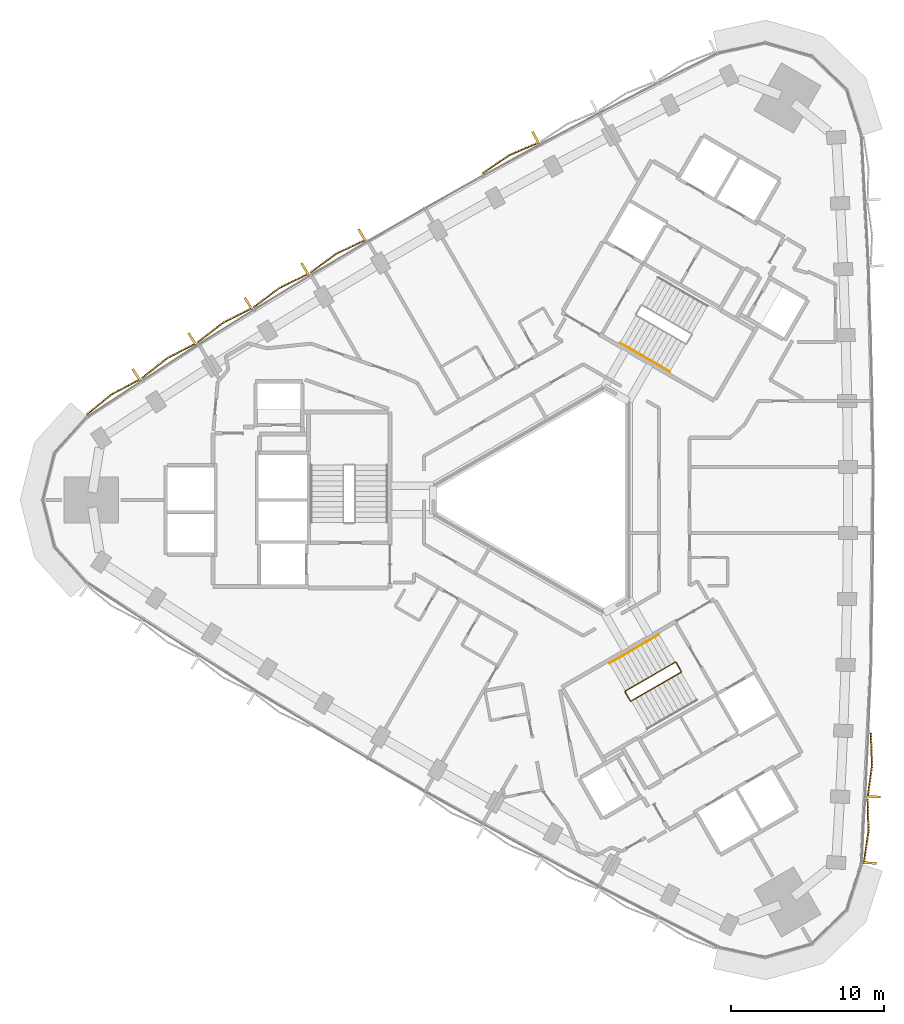
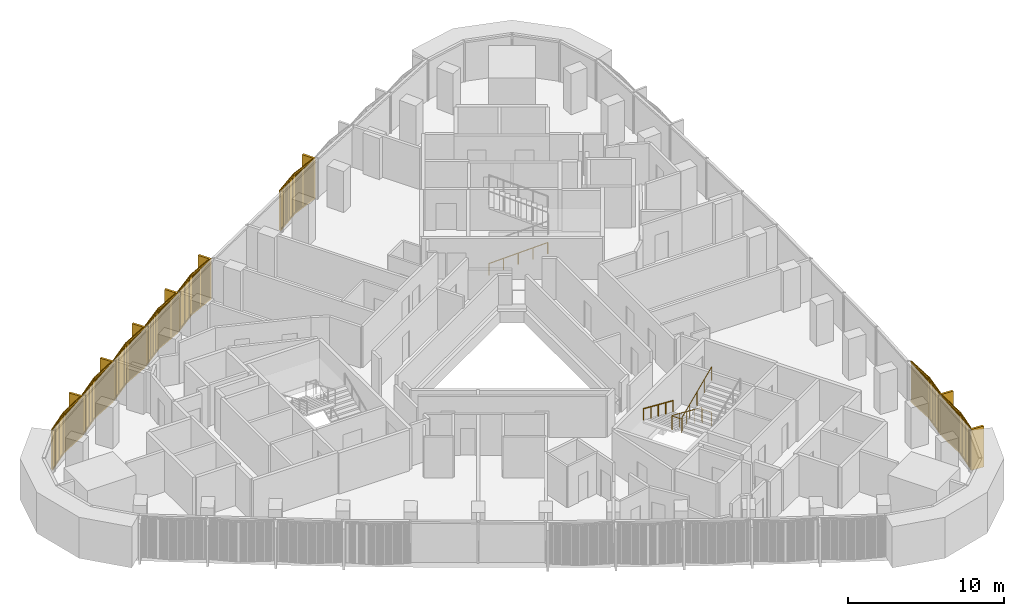
# One storey, part 14 of 15: 8 coverings, 3 railings.
"""IFC4 building model written with IfcOpenShell, lengths in metres."""

from ifc_helpers import new_model, si_unit, direction, frame, frame_2d, origin, origin_2d, place, context, subcontext, project, spatial, rectangle, circle, extrude, source, transform, mapped, material, type_object, element, save


model = new_model("IFC4")

# Units and contexts
model_context = context("Model", 3, precision=1e-05, world=origin(), true_north=direction((0.0, 1.0)))
body_context = subcontext(model_context, "Body", "Model", "MODEL_VIEW")
ifc_project = project(units=[si_unit("LENGTHUNIT", "METRE"), si_unit("AREAUNIT", "SQUARE_METRE"), si_unit("VOLUMEUNIT", "CUBIC_METRE"), si_unit("PLANEANGLEUNIT", "RADIAN"), si_unit("MASSUNIT", "GRAM", prefix="KILO")], contexts=[model_context])

# Site, building, storey
site_placement = place(None, origin())
site = spatial("IfcSite", under=ifc_project, at=site_placement, CompositionType="ELEMENT")
building_placement = place(site_placement, origin())
building = spatial("IfcBuilding", under=site, at=building_placement, Name="Tamra Quay Hotel Tower", CompositionType="ELEMENT")
storey_placement = place(building_placement, frame((0.0, 0.0, 136.0)))
storey = spatial("IfcBuildingStorey", under=building, at=storey_placement, Name="L33", CompositionType="ELEMENT", Elevation=136.0)

# Railings
ifc_material_1 = material(Name="Stair guard 1100")
railing_type_1 = type_object("IfcRailingType", Name="Stair guard 1100", PredefinedType="GUARDRAIL", material=ifc_material_1)
railing_1_placement = place(storey_placement, frame((8.245849609375, -11.221923828125, 0.0)))
element("IfcRailing", 1, at=railing_1_placement, inside=storey, type_object=railing_type_1, Name="GR", PredefinedType="GUARDRAIL", context=body_context, shape_type="SweptSolid", body=[
    extrude(circle(Radius=0.02392578125, at=origin_2d()), frame((0.0, 0.0, 1.076171875), z_axis=(-0.500043078269, 0.866000531106, 0.0), x_axis=(-0.866000531106, -0.500043078269, 0.0)), (0.0, 0.0, 1.0), 0.6591796875),
    extrude(circle(Radius=0.02392578125, at=origin_2d()), frame((-0.32958984375, 0.57080078125, 1.076171875), z_axis=(-0.41238007866, 0.110458949641, 0.904290601062), x_axis=(-0.258736085224, -0.965948051503, 0.0)), (0.0, 0.0, 1.0), 0.165771484375),
    extrude(circle(Radius=0.02392578125, at=origin_2d()), frame((-0.39794921875, 0.589111328125, 1.22607421875), z_axis=(-0.793081581205, -0.457901355053, 0.401681409319), x_axis=(0.500012686397, -0.866018079166, 0.0)), (0.0, 0.0, 1.0), 4.108154296875),
    extrude(circle(Radius=0.02392578125, at=origin_2d()), frame((-3.656005859375, -1.2919921875, 2.8759765625), z_axis=(-0.256368644879, -0.966579080015, 0.0), x_axis=(0.966579080015, -0.256368644879, 0.0)), (0.0, 0.0, 1.0), 0.070556640625),
    extrude(circle(Radius=0.02392578125, at=origin_2d()), frame((-3.674072265625, -1.360107421875, 2.8759765625), z_axis=(0.499765215335, -0.866160914346, 0.0), x_axis=(0.866160914346, 0.499765215335, 0.0)), (0.0, 0.0, 1.0), 0.658935546875),
    extrude(circle(Radius=0.02392578125, at=origin_2d()), frame((-3.3447265625, -1.930908203125, 2.8759765625), z_axis=(0.41238007866, -0.110458949641, 0.904290601062), x_axis=(0.258736085224, 0.965948051503, 0.0)), (0.0, 0.0, 1.0), 0.165771484375),
    extrude(circle(Radius=0.02392578125, at=origin_2d()), frame((-3.2763671875, -1.94921875, 3.02587890625), z_axis=(0.793081581205, 0.457901355053, 0.401681409319), x_axis=(-0.500012686397, 0.866018079166, 0.0)), (0.0, 0.0, 1.0), 4.108154296875),
    extrude(circle(Radius=0.02099609375, at=origin_2d()), origin(), (0.0, 0.0, 1.0), 1.052001953125),
    extrude(circle(Radius=0.02099609375, at=origin_2d()), frame((-0.32958984375, 0.57080078125, 0.0)), (0.0, 0.0, 1.0), 1.052001953125),
    extrude(circle(Radius=0.02099609375, at=origin_2d()), frame((-0.39794921875, 0.589111328125, 0.14990234375)), (0.0, 0.0, 1.0), 1.052001953125),
    extrude(circle(Radius=0.02099609375, at=origin_2d()), frame((-1.21240234375, 0.118896484375, 0.5625)), (0.0, 0.0, 1.0), 1.052001953125),
    extrude(circle(Radius=0.02099609375, at=origin_2d()), frame((-2.02685546875, -0.3515625, 0.97509765625)), (0.0, 0.0, 1.0), 1.052001953125),
    extrude(circle(Radius=0.02099609375, at=origin_2d()), frame((-2.841552734375, -0.82177734375, 1.387451171875)), (0.0, 0.0, 1.0), 1.052001953125),
    extrude(circle(Radius=0.02099609375, at=origin_2d()), frame((-3.656005859375, -1.2919921875, 1.800048828125)), (0.0, 0.0, 1.0), 1.052001953125),
    extrude(circle(Radius=0.02099609375, at=origin_2d()), frame((-3.674072265625, -1.360107421875, 1.800048828125)), (0.0, 0.0, 1.0), 1.052001953125),
    extrude(circle(Radius=0.02099609375, at=origin_2d()), frame((-3.3447265625, -1.930908203125, 1.800048828125)), (0.0, 0.0, 1.0), 1.052001953125),
    extrude(circle(Radius=0.02099609375, at=origin_2d()), frame((-3.2763671875, -1.94921875, 1.949951171875)), (0.0, 0.0, 1.0), 1.052001953125),
    extrude(circle(Radius=0.02099609375, at=origin_2d()), frame((-2.4619140625, -1.47900390625, 2.362548828125)), (0.0, 0.0, 1.0), 1.052001953125),
    extrude(circle(Radius=0.02099609375, at=origin_2d()), frame((-1.6474609375, -1.0087890625, 2.77490234375)), (0.0, 0.0, 1.0), 1.052001953125),
    extrude(circle(Radius=0.02099609375, at=origin_2d()), frame((-0.832763671875, -0.538330078125, 3.1875)), (0.0, 0.0, 1.0), 1.052001953125),
    extrude(circle(Radius=0.02099609375, at=origin_2d()), frame((-0.018310546875, -0.068115234375, 3.60009765625)), (0.0, 0.0, 1.0), 1.052001953125),
])
ifc_material_2 = material(Name="Stair handrail 900")
railing_type_2 = type_object("IfcRailingType", Name="Stair handrail 900", PredefinedType="HANDRAIL", material=ifc_material_2)
railing_2_placement = place(storey_placement, frame((4.234375, 10.294189453125, 0.14990234375)))
element("IfcRailing", 2, at=railing_2_placement, inside=storey, type_object=railing_type_2, Name="HR", PredefinedType="HANDRAIL", context=body_context, shape_type="SweptSolid", body=[
    extrude(circle(Radius=0.02392578125, at=origin_2d()), frame((0.0, 0.0, 0.8759765625), z_axis=(0.793103162556, -0.457854384738, 0.401692339881), x_axis=(0.499964013922, 0.86604617936, 0.0)), (0.0, 0.0, 1.0), 4.10791015625),
    extrude(circle(Radius=0.02099609375, at=origin_2d()), origin(), (0.0, 0.0, 1.0), 0.851806640625),
    extrude(circle(Radius=0.02099609375, at=origin_2d()), frame((0.814453125, -0.47021484375, 0.41259765625)), (0.0, 0.0, 1.0), 0.851806640625),
    extrude(circle(Radius=0.02099609375, at=origin_2d()), frame((1.62890625, -0.9404296875, 0.8251953125)), (0.0, 0.0, 1.0), 0.851806640625),
    extrude(circle(Radius=0.02099609375, at=origin_2d()), frame((2.443603515625, -1.41064453125, 1.237548828125)), (0.0, 0.0, 1.0), 0.851806640625),
    extrude(circle(Radius=0.02099609375, at=origin_2d()), frame((3.258056640625, -1.880859375, 1.650146484375)), (0.0, 0.0, 1.0), 0.851806640625),
])
railing_3_placement = place(storey_placement, frame((6.7978515625, -8.814208984375, 0.14990234375)))
element("IfcRailing", 3, at=railing_3_placement, inside=storey, type_object=railing_type_2, Name="HR", PredefinedType="HANDRAIL", context=body_context, shape_type="SweptSolid", body=[
    extrude(circle(Radius=0.02392578125, at=origin_2d()), frame((0.0, 0.0, 0.8759765625), z_axis=(-0.793081112945, -0.457875966286, 0.40171127416), x_axis=(0.499992114976, -0.866029956157, 0.0)), (0.0, 0.0, 1.0), 4.10791015625),
    extrude(circle(Radius=0.02099609375, at=origin_2d()), origin(), (0.0, 0.0, 1.0), 0.851806640625),
    extrude(circle(Radius=0.02099609375, at=origin_2d()), frame((-0.814453125, -0.47021484375, 0.41259765625)), (0.0, 0.0, 1.0), 0.851806640625),
    extrude(circle(Radius=0.02099609375, at=origin_2d()), frame((-1.62890625, -0.9404296875, 0.8251953125)), (0.0, 0.0, 1.0), 0.851806640625),
    extrude(circle(Radius=0.02099609375, at=origin_2d()), frame((-2.443359375, -1.41064453125, 1.237548828125)), (0.0, 0.0, 1.0), 0.851806640625),
    extrude(circle(Radius=0.02099609375, at=origin_2d()), frame((-3.2578125, -1.880859375, 1.650146484375)), (0.0, 0.0, 1.0), 0.851806640625),
])

# Coverings
ifc_material_3 = material(Name="Terracotta baguette extruded", Category="masonry")
covering_type_1 = type_object("IfcCoveringType", Name="BAGUETTE SCREEN E-V H3200", PredefinedType="USERDEFINED", material=ifc_material_3)
shared_shape_1 = source(origin(), body_context, "Body", "SweptSolid", [
    extrude(rectangle(XDim=2.140625, YDim=0.06005859375, at=frame_2d((1.0703125, 0.030029296875))), frame((-2.1376953125, -0.057861328125, -0.1201171875), z_axis=(0.0, 0.0, 1.0), x_axis=(0.996194698092, -0.087155742748, 0.0)), (0.0, 0.0, 1.0), 0.1201171875),
    extrude(rectangle(XDim=2.140625, YDim=0.06005859375, at=frame_2d((1.0703125, 0.030029296875))), frame((-2.1376953125, -0.057861328125, -3.199951171875), z_axis=(0.0, 0.0, 1.0), x_axis=(0.996194698092, -0.087155742748, 0.0)), (0.0, 0.0, 1.0), 0.1201171875),
    extrude(rectangle(XDim=0.070068359375, YDim=0.10009765625, at=frame_2d((0.03515625, 0.050048828125))), frame((-2.11669921875, -0.13232421875, -3.139892578125)), (0.0, 0.0, 1.0), 3.080078125),
    extrude(rectangle(XDim=0.070068359375, YDim=0.10009765625, at=frame_2d((0.03515625, 0.050048828125))), frame((-2.01513671875, -0.141357421875, -3.139892578125)), (0.0, 0.0, 1.0), 3.080078125),
    extrude(rectangle(XDim=0.070068359375, YDim=0.10009765625, at=frame_2d((0.03515625, 0.050048828125))), frame((-1.91357421875, -0.150146484375, -3.139892578125)), (0.0, 0.0, 1.0), 3.080078125),
    extrude(rectangle(XDim=0.070068359375, YDim=0.10009765625, at=frame_2d((0.03515625, 0.050048828125))), frame((-1.81201171875, -0.1591796875, -3.139892578125)), (0.0, 0.0, 1.0), 3.080078125),
    extrude(rectangle(XDim=0.070068359375, YDim=0.10009765625, at=frame_2d((0.03515625, 0.050048828125))), frame((-1.71044921875, -0.16796875, -3.139892578125)), (0.0, 0.0, 1.0), 3.080078125),
    extrude(rectangle(XDim=0.070068359375, YDim=0.10009765625, at=frame_2d((0.03515625, 0.050048828125))), frame((-1.60888671875, -0.1767578125, -3.139892578125)), (0.0, 0.0, 1.0), 3.080078125),
    extrude(rectangle(XDim=0.070068359375, YDim=0.10009765625, at=frame_2d((0.03515625, 0.050048828125))), frame((-1.50732421875, -0.185791015625, -3.139892578125)), (0.0, 0.0, 1.0), 3.080078125),
    extrude(rectangle(XDim=0.070068359375, YDim=0.10009765625, at=frame_2d((0.03515625, 0.050048828125))), frame((-1.406005859375, -0.194580078125, -3.139892578125)), (0.0, 0.0, 1.0), 3.080078125),
    extrude(rectangle(XDim=0.070068359375, YDim=0.10009765625, at=frame_2d((0.03515625, 0.050048828125))), frame((-1.304443359375, -0.20361328125, -3.139892578125)), (0.0, 0.0, 1.0), 3.080078125),
    extrude(rectangle(XDim=0.070068359375, YDim=0.10009765625, at=frame_2d((0.03515625, 0.050048828125))), frame((-1.202880859375, -0.21240234375, -3.139892578125)), (0.0, 0.0, 1.0), 3.080078125),
    extrude(rectangle(XDim=0.070068359375, YDim=0.10009765625, at=frame_2d((0.03515625, 0.050048828125))), frame((-1.101318359375, -0.22119140625, -3.139892578125)), (0.0, 0.0, 1.0), 3.080078125),
    extrude(rectangle(XDim=0.070068359375, YDim=0.10009765625, at=frame_2d((0.03515625, 0.050048828125))), frame((-0.999755859375, -0.230224609375, -3.139892578125)), (0.0, 0.0, 1.0), 3.080078125),
    extrude(rectangle(XDim=0.070068359375, YDim=0.10009765625, at=frame_2d((0.03515625, 0.050048828125))), frame((-0.898193359375, -0.239013671875, -3.139892578125)), (0.0, 0.0, 1.0), 3.080078125),
    extrude(rectangle(XDim=0.070068359375, YDim=0.10009765625, at=frame_2d((0.03515625, 0.050048828125))), frame((-0.796630859375, -0.248046875, -3.139892578125)), (0.0, 0.0, 1.0), 3.080078125),
    extrude(rectangle(XDim=0.070068359375, YDim=0.10009765625, at=frame_2d((0.03515625, 0.050048828125))), frame((-0.695068359375, -0.2568359375, -3.139892578125)), (0.0, 0.0, 1.0), 3.080078125),
    extrude(rectangle(XDim=0.070068359375, YDim=0.10009765625, at=frame_2d((0.03515625, 0.050048828125))), frame((-0.593505859375, -0.265625, -3.139892578125)), (0.0, 0.0, 1.0), 3.080078125),
    extrude(rectangle(XDim=0.070068359375, YDim=0.10009765625, at=frame_2d((0.03515625, 0.050048828125))), frame((-0.491943359375, -0.274658203125, -3.139892578125)), (0.0, 0.0, 1.0), 3.080078125),
    extrude(rectangle(XDim=0.070068359375, YDim=0.10009765625, at=frame_2d((0.03515625, 0.050048828125))), frame((-0.390380859375, -0.283447265625, -3.139892578125)), (0.0, 0.0, 1.0), 3.080078125),
    extrude(rectangle(XDim=0.070068359375, YDim=0.10009765625, at=frame_2d((0.03515625, 0.050048828125))), frame((-0.288818359375, -0.29248046875, -3.139892578125)), (0.0, 0.0, 1.0), 3.080078125),
    extrude(rectangle(XDim=0.070068359375, YDim=0.10009765625, at=frame_2d((0.03515625, 0.050048828125))), frame((-0.187255859375, -0.30126953125, -3.139892578125)), (0.0, 0.0, 1.0), 3.080078125),
    extrude(rectangle(XDim=0.070068359375, YDim=0.10009765625, at=frame_2d((0.03515625, 0.050048828125))), frame((-0.085693359375, -0.31005859375, -3.139892578125)), (0.0, 0.0, 1.0), 3.080078125),
    extrude(rectangle(XDim=2.140625, YDim=0.06005859375, at=frame_2d((1.0703125, 0.030029296875))), frame((0.005126953125, -0.244384765625, -0.1201171875), z_axis=(0.0, 0.0, 1.0), x_axis=(0.996194698092, 0.087155742748, 0.0)), (0.0, 0.0, 1.0), 0.1201171875),
    extrude(rectangle(XDim=2.140625, YDim=0.06005859375, at=frame_2d((1.0703125, 0.030029296875))), frame((0.005126953125, -0.244384765625, -3.199951171875), z_axis=(0.0, 0.0, 1.0), x_axis=(0.996194698092, 0.087155742748, 0.0)), (0.0, 0.0, 1.0), 0.1201171875),
    extrude(rectangle(XDim=0.070068359375, YDim=0.10009765625, at=frame_2d((0.03515625, 0.050048828125))), frame((0.015869140625, -0.31005859375, -3.139892578125)), (0.0, 0.0, 1.0), 3.080078125),
    extrude(rectangle(XDim=0.070068359375, YDim=0.10009765625, at=frame_2d((0.03515625, 0.050048828125))), frame((0.117431640625, -0.30126953125, -3.139892578125)), (0.0, 0.0, 1.0), 3.080078125),
    extrude(rectangle(XDim=0.070068359375, YDim=0.10009765625, at=frame_2d((0.03515625, 0.050048828125))), frame((0.21875, -0.29248046875, -3.139892578125)), (0.0, 0.0, 1.0), 3.080078125),
    extrude(rectangle(XDim=0.070068359375, YDim=0.10009765625, at=frame_2d((0.03515625, 0.050048828125))), frame((0.3203125, -0.283447265625, -3.139892578125)), (0.0, 0.0, 1.0), 3.080078125),
    extrude(rectangle(XDim=0.070068359375, YDim=0.10009765625, at=frame_2d((0.03515625, 0.050048828125))), frame((0.421875, -0.274658203125, -3.139892578125)), (0.0, 0.0, 1.0), 3.080078125),
    extrude(rectangle(XDim=0.070068359375, YDim=0.10009765625, at=frame_2d((0.03515625, 0.050048828125))), frame((0.5234375, -0.265625, -3.139892578125)), (0.0, 0.0, 1.0), 3.080078125),
    extrude(rectangle(XDim=0.070068359375, YDim=0.10009765625, at=frame_2d((0.03515625, 0.050048828125))), frame((0.625, -0.2568359375, -3.139892578125)), (0.0, 0.0, 1.0), 3.080078125),
    extrude(rectangle(XDim=0.070068359375, YDim=0.10009765625, at=frame_2d((0.03515625, 0.050048828125))), frame((0.7265625, -0.248046875, -3.139892578125)), (0.0, 0.0, 1.0), 3.080078125),
    extrude(rectangle(XDim=0.070068359375, YDim=0.10009765625, at=frame_2d((0.03515625, 0.050048828125))), frame((0.828125, -0.239013671875, -3.139892578125)), (0.0, 0.0, 1.0), 3.080078125),
    extrude(rectangle(XDim=0.070068359375, YDim=0.10009765625, at=frame_2d((0.03515625, 0.050048828125))), frame((0.9296875, -0.230224609375, -3.139892578125)), (0.0, 0.0, 1.0), 3.080078125),
    extrude(rectangle(XDim=0.070068359375, YDim=0.10009765625, at=frame_2d((0.03515625, 0.050048828125))), frame((1.03125, -0.22119140625, -3.139892578125)), (0.0, 0.0, 1.0), 3.080078125),
    extrude(rectangle(XDim=0.070068359375, YDim=0.10009765625, at=frame_2d((0.03515625, 0.050048828125))), frame((1.1328125, -0.21240234375, -3.139892578125)), (0.0, 0.0, 1.0), 3.080078125),
    extrude(rectangle(XDim=0.070068359375, YDim=0.10009765625, at=frame_2d((0.03515625, 0.050048828125))), frame((1.234375, -0.20361328125, -3.139892578125)), (0.0, 0.0, 1.0), 3.080078125),
    extrude(rectangle(XDim=0.070068359375, YDim=0.10009765625, at=frame_2d((0.03515625, 0.050048828125))), frame((1.3359375, -0.194580078125, -3.139892578125)), (0.0, 0.0, 1.0), 3.080078125),
    extrude(rectangle(XDim=0.070068359375, YDim=0.10009765625, at=frame_2d((0.03515625, 0.050048828125))), frame((1.4375, -0.185791015625, -3.139892578125)), (0.0, 0.0, 1.0), 3.080078125),
    extrude(rectangle(XDim=0.070068359375, YDim=0.10009765625, at=frame_2d((0.03515625, 0.050048828125))), frame((1.5390625, -0.1767578125, -3.139892578125)), (0.0, 0.0, 1.0), 3.080078125),
    extrude(rectangle(XDim=0.070068359375, YDim=0.10009765625, at=frame_2d((0.03515625, 0.050048828125))), frame((1.640625, -0.16796875, -3.139892578125)), (0.0, 0.0, 1.0), 3.080078125),
    extrude(rectangle(XDim=0.070068359375, YDim=0.10009765625, at=frame_2d((0.03515625, 0.050048828125))), frame((1.7421875, -0.1591796875, -3.139892578125)), (0.0, 0.0, 1.0), 3.080078125),
    extrude(rectangle(XDim=0.070068359375, YDim=0.10009765625, at=frame_2d((0.03515625, 0.050048828125))), frame((1.84375, -0.150146484375, -3.139892578125)), (0.0, 0.0, 1.0), 3.080078125),
    extrude(rectangle(XDim=0.070068359375, YDim=0.10009765625, at=frame_2d((0.03515625, 0.050048828125))), frame((1.945068359375, -0.141357421875, -3.139892578125)), (0.0, 0.0, 1.0), 3.080078125),
    extrude(rectangle(XDim=0.070068359375, YDim=0.10009765625, at=frame_2d((0.03515625, 0.050048828125))), frame((2.046630859375, -0.13232421875, -3.139892578125)), (0.0, 0.0, 1.0), 3.080078125),
    extrude(rectangle(XDim=0.14990234375, YDim=0.902099609375, at=frame_2d((0.074951171875, 0.451171875))), frame((-2.132568359375, -0.89990234375, -3.199951171875)), (0.0, 0.0, 1.0), 3.199951171875),
])
for number, where, z_axis, x_axis, name in (
    (4, (20.26953125, -21.70361328125, 3.199951171875), (0.0, 0.0, 1.0), (0.05964191564, 0.998219836458, 0.0), "Baguette screen L33.E.f00"),
    (5, (20.502685546875, -17.366943359375, 3.199951171875), (0.0, 0.0, 1.0), (0.04774710654, 0.998859456489, 0.0), "Baguette screen L33.E.f01"),
):
    element("IfcCovering", number, at=place(storey_placement, frame(where, z_axis=z_axis, x_axis=x_axis)), inside=storey, type_object=covering_type_1, Name=name, ObjectType="BAGUETTE SCREEN", PredefinedType="USERDEFINED", context=body_context, shape_type="MappedRepresentation", body=[
        mapped(shared_shape_1, transform((0.0, 0.0, 0.0), scale=1.0)),
    ])
covering_type_2 = type_object("IfcCoveringType", Name="BAGUETTE SCREEN NW-V H3200", PredefinedType="USERDEFINED", material=ifc_material_3)
shared_shape_2 = source(origin(), body_context, "Body", "SweptSolid", [
    extrude(rectangle(XDim=2.142333984375, YDim=0.06005859375, at=frame_2d((1.0712890625, 0.030029296875))), frame((-2.13818359375, -0.0576171875, -0.1201171875), z_axis=(0.0, 0.0, 1.0), x_axis=(0.995396198367, -0.09584575252, 0.0)), (0.0, 0.0, 1.0), 0.1201171875),
    extrude(rectangle(XDim=2.142333984375, YDim=0.06005859375, at=frame_2d((1.0712890625, 0.030029296875))), frame((-2.13818359375, -0.0576171875, -3.199951171875), z_axis=(0.0, 0.0, 1.0), x_axis=(0.995396198367, -0.09584575252, 0.0)), (0.0, 0.0, 1.0), 0.1201171875),
    extrude(rectangle(XDim=0.070068359375, YDim=0.10009765625, at=frame_2d((0.03515625, 0.050048828125))), frame((-2.11669921875, -0.1328125, -3.139892578125)), (0.0, 0.0, 1.0), 3.080078125),
    extrude(rectangle(XDim=0.070068359375, YDim=0.10009765625, at=frame_2d((0.03515625, 0.050048828125))), frame((-2.01513671875, -0.142578125, -3.139892578125)), (0.0, 0.0, 1.0), 3.080078125),
    extrude(rectangle(XDim=0.070068359375, YDim=0.10009765625, at=frame_2d((0.03515625, 0.050048828125))), frame((-1.91357421875, -0.15234375, -3.139892578125)), (0.0, 0.0, 1.0), 3.080078125),
    extrude(rectangle(XDim=0.070068359375, YDim=0.10009765625, at=frame_2d((0.03515625, 0.050048828125))), frame((-1.81201171875, -0.162109375, -3.139892578125)), (0.0, 0.0, 1.0), 3.080078125),
    extrude(rectangle(XDim=0.070068359375, YDim=0.10009765625, at=frame_2d((0.03515625, 0.050048828125))), frame((-1.71044921875, -0.172119140625, -3.139892578125)), (0.0, 0.0, 1.0), 3.080078125),
    extrude(rectangle(XDim=0.070068359375, YDim=0.10009765625, at=frame_2d((0.03515625, 0.050048828125))), frame((-1.60888671875, -0.181884765625, -3.139892578125)), (0.0, 0.0, 1.0), 3.080078125),
    extrude(rectangle(XDim=0.070068359375, YDim=0.10009765625, at=frame_2d((0.03515625, 0.050048828125))), frame((-1.50732421875, -0.191650390625, -3.139892578125)), (0.0, 0.0, 1.0), 3.080078125),
    extrude(rectangle(XDim=0.070068359375, YDim=0.10009765625, at=frame_2d((0.03515625, 0.050048828125))), frame((-1.406005859375, -0.201416015625, -3.139892578125)), (0.0, 0.0, 1.0), 3.080078125),
    extrude(rectangle(XDim=0.070068359375, YDim=0.10009765625, at=frame_2d((0.03515625, 0.050048828125))), frame((-1.304443359375, -0.211181640625, -3.139892578125)), (0.0, 0.0, 1.0), 3.080078125),
    extrude(rectangle(XDim=0.070068359375, YDim=0.10009765625, at=frame_2d((0.03515625, 0.050048828125))), frame((-1.202880859375, -0.220947265625, -3.139892578125)), (0.0, 0.0, 1.0), 3.080078125),
    extrude(rectangle(XDim=0.070068359375, YDim=0.10009765625, at=frame_2d((0.03515625, 0.050048828125))), frame((-1.101318359375, -0.230712890625, -3.139892578125)), (0.0, 0.0, 1.0), 3.080078125),
    extrude(rectangle(XDim=0.070068359375, YDim=0.10009765625, at=frame_2d((0.03515625, 0.050048828125))), frame((-0.999755859375, -0.240478515625, -3.139892578125)), (0.0, 0.0, 1.0), 3.080078125),
    extrude(rectangle(XDim=0.070068359375, YDim=0.10009765625, at=frame_2d((0.03515625, 0.050048828125))), frame((-0.898193359375, -0.250244140625, -3.139892578125)), (0.0, 0.0, 1.0), 3.080078125),
    extrude(rectangle(XDim=0.070068359375, YDim=0.10009765625, at=frame_2d((0.03515625, 0.050048828125))), frame((-0.796630859375, -0.260009765625, -3.139892578125)), (0.0, 0.0, 1.0), 3.080078125),
    extrude(rectangle(XDim=0.070068359375, YDim=0.10009765625, at=frame_2d((0.03515625, 0.050048828125))), frame((-0.695068359375, -0.269775390625, -3.139892578125)), (0.0, 0.0, 1.0), 3.080078125),
    extrude(rectangle(XDim=0.070068359375, YDim=0.10009765625, at=frame_2d((0.03515625, 0.050048828125))), frame((-0.593505859375, -0.279541015625, -3.139892578125)), (0.0, 0.0, 1.0), 3.080078125),
    extrude(rectangle(XDim=0.070068359375, YDim=0.10009765625, at=frame_2d((0.03515625, 0.050048828125))), frame((-0.491943359375, -0.289306640625, -3.139892578125)), (0.0, 0.0, 1.0), 3.080078125),
    extrude(rectangle(XDim=0.070068359375, YDim=0.10009765625, at=frame_2d((0.03515625, 0.050048828125))), frame((-0.390380859375, -0.299072265625, -3.139892578125)), (0.0, 0.0, 1.0), 3.080078125),
    extrude(rectangle(XDim=0.070068359375, YDim=0.10009765625, at=frame_2d((0.03515625, 0.050048828125))), frame((-0.288818359375, -0.308837890625, -3.139892578125)), (0.0, 0.0, 1.0), 3.080078125),
    extrude(rectangle(XDim=0.070068359375, YDim=0.10009765625, at=frame_2d((0.03515625, 0.050048828125))), frame((-0.187255859375, -0.318603515625, -3.139892578125)), (0.0, 0.0, 1.0), 3.080078125),
    extrude(rectangle(XDim=0.070068359375, YDim=0.10009765625, at=frame_2d((0.03515625, 0.050048828125))), frame((-0.085693359375, -0.328369140625, -3.139892578125)), (0.0, 0.0, 1.0), 3.080078125),
    extrude(rectangle(XDim=2.142333984375, YDim=0.06005859375, at=frame_2d((1.0712890625, 0.030029296875))), frame((0.005859375, -0.262939453125, -0.1201171875), z_axis=(0.0, 0.0, 1.0), x_axis=(0.995396198367, 0.09584575252, 0.0)), (0.0, 0.0, 1.0), 0.1201171875),
    extrude(rectangle(XDim=2.142333984375, YDim=0.06005859375, at=frame_2d((1.0712890625, 0.030029296875))), frame((0.005859375, -0.262939453125, -3.199951171875), z_axis=(0.0, 0.0, 1.0), x_axis=(0.995396198367, 0.09584575252, 0.0)), (0.0, 0.0, 1.0), 0.1201171875),
    extrude(rectangle(XDim=0.070068359375, YDim=0.10009765625, at=frame_2d((0.03515625, 0.050048828125))), frame((0.015869140625, -0.328369140625, -3.139892578125)), (0.0, 0.0, 1.0), 3.080078125),
    extrude(rectangle(XDim=0.070068359375, YDim=0.10009765625, at=frame_2d((0.03515625, 0.050048828125))), frame((0.117431640625, -0.318603515625, -3.139892578125)), (0.0, 0.0, 1.0), 3.080078125),
    extrude(rectangle(XDim=0.070068359375, YDim=0.10009765625, at=frame_2d((0.03515625, 0.050048828125))), frame((0.21875, -0.308837890625, -3.139892578125)), (0.0, 0.0, 1.0), 3.080078125),
    extrude(rectangle(XDim=0.070068359375, YDim=0.10009765625, at=frame_2d((0.03515625, 0.050048828125))), frame((0.3203125, -0.299072265625, -3.139892578125)), (0.0, 0.0, 1.0), 3.080078125),
    extrude(rectangle(XDim=0.070068359375, YDim=0.10009765625, at=frame_2d((0.03515625, 0.050048828125))), frame((0.421875, -0.289306640625, -3.139892578125)), (0.0, 0.0, 1.0), 3.080078125),
    extrude(rectangle(XDim=0.070068359375, YDim=0.10009765625, at=frame_2d((0.03515625, 0.050048828125))), frame((0.5234375, -0.279541015625, -3.139892578125)), (0.0, 0.0, 1.0), 3.080078125),
    extrude(rectangle(XDim=0.070068359375, YDim=0.10009765625, at=frame_2d((0.03515625, 0.050048828125))), frame((0.625, -0.269775390625, -3.139892578125)), (0.0, 0.0, 1.0), 3.080078125),
    extrude(rectangle(XDim=0.070068359375, YDim=0.10009765625, at=frame_2d((0.03515625, 0.050048828125))), frame((0.7265625, -0.260009765625, -3.139892578125)), (0.0, 0.0, 1.0), 3.080078125),
    extrude(rectangle(XDim=0.070068359375, YDim=0.10009765625, at=frame_2d((0.03515625, 0.050048828125))), frame((0.828125, -0.250244140625, -3.139892578125)), (0.0, 0.0, 1.0), 3.080078125),
    extrude(rectangle(XDim=0.070068359375, YDim=0.10009765625, at=frame_2d((0.03515625, 0.050048828125))), frame((0.9296875, -0.240478515625, -3.139892578125)), (0.0, 0.0, 1.0), 3.080078125),
    extrude(rectangle(XDim=0.070068359375, YDim=0.10009765625, at=frame_2d((0.03515625, 0.050048828125))), frame((1.03125, -0.230712890625, -3.139892578125)), (0.0, 0.0, 1.0), 3.080078125),
    extrude(rectangle(XDim=0.070068359375, YDim=0.10009765625, at=frame_2d((0.03515625, 0.050048828125))), frame((1.1328125, -0.220947265625, -3.139892578125)), (0.0, 0.0, 1.0), 3.080078125),
    extrude(rectangle(XDim=0.070068359375, YDim=0.10009765625, at=frame_2d((0.03515625, 0.050048828125))), frame((1.234375, -0.211181640625, -3.139892578125)), (0.0, 0.0, 1.0), 3.080078125),
    extrude(rectangle(XDim=0.070068359375, YDim=0.10009765625, at=frame_2d((0.03515625, 0.050048828125))), frame((1.3359375, -0.201416015625, -3.139892578125)), (0.0, 0.0, 1.0), 3.080078125),
    extrude(rectangle(XDim=0.070068359375, YDim=0.10009765625, at=frame_2d((0.03515625, 0.050048828125))), frame((1.4375, -0.191650390625, -3.139892578125)), (0.0, 0.0, 1.0), 3.080078125),
    extrude(rectangle(XDim=0.070068359375, YDim=0.10009765625, at=frame_2d((0.03515625, 0.050048828125))), frame((1.5390625, -0.181884765625, -3.139892578125)), (0.0, 0.0, 1.0), 3.080078125),
    extrude(rectangle(XDim=0.070068359375, YDim=0.10009765625, at=frame_2d((0.03515625, 0.050048828125))), frame((1.640625, -0.172119140625, -3.139892578125)), (0.0, 0.0, 1.0), 3.080078125),
    extrude(rectangle(XDim=0.070068359375, YDim=0.10009765625, at=frame_2d((0.03515625, 0.050048828125))), frame((1.7421875, -0.162109375, -3.139892578125)), (0.0, 0.0, 1.0), 3.080078125),
    extrude(rectangle(XDim=0.070068359375, YDim=0.10009765625, at=frame_2d((0.03515625, 0.050048828125))), frame((1.84375, -0.15234375, -3.139892578125)), (0.0, 0.0, 1.0), 3.080078125),
    extrude(rectangle(XDim=0.070068359375, YDim=0.10009765625, at=frame_2d((0.03515625, 0.050048828125))), frame((1.945068359375, -0.142578125, -3.139892578125)), (0.0, 0.0, 1.0), 3.080078125),
    extrude(rectangle(XDim=0.070068359375, YDim=0.10009765625, at=frame_2d((0.03515625, 0.050048828125))), frame((2.046630859375, -0.1328125, -3.139892578125)), (0.0, 0.0, 1.0), 3.080078125),
    extrude(rectangle(XDim=0.14990234375, YDim=0.902099609375, at=frame_2d((0.074951171875, 0.451171875))), frame((-2.132568359375, -0.89990234375, -3.199951171875)), (0.0, 0.0, 1.0), 3.199951171875),
])
for number, where, z_axis, x_axis, name in (
    (6, (-2.884765625, 22.3681640625, 3.199951171875), (0.0, 0.0, 1.0), (-0.87772619785, -0.47916252108, 0.0), "Baguette screen L33.NW.f03"),
    (7, (-14.207275390625, 15.921142578125, 3.199951171875), (0.0, 0.0, 1.0), (-0.85998498014, -0.510319345051, 0.0), "Baguette screen L33.NW.f06"),
    (8, (-17.928955078125, 13.6826171875, 3.199951171875), (0.0, 0.0, 1.0), (-0.853830014722, -0.520551924365, 0.0), "Baguette screen L33.NW.f07"),
    (9, (-21.624267578125, 11.399169921875, 3.199951171875), (0.0, 0.0, 1.0), (-0.847546396231, -0.530721307501, 0.0), "Baguette screen L33.NW.f08"),
    (10, (-25.29150390625, 9.072265625, 3.199951171875), (0.0, 0.0, 1.0), (-0.841164110859, -0.540779935465, 0.0), "Baguette screen L33.NW.f09"),
    (11, (-28.9306640625, 6.701904296875, 3.199951171875), (0.0, 0.0, 1.0), (-0.834662779115, -0.550761332303, 0.0), "Baguette screen L33.NW.f10"),
):
    element("IfcCovering", number, at=place(storey_placement, frame(where, z_axis=z_axis, x_axis=x_axis)), inside=storey, type_object=covering_type_2, Name=name, ObjectType="BAGUETTE SCREEN", PredefinedType="USERDEFINED", context=body_context, shape_type="MappedRepresentation", body=[
        mapped(shared_shape_2, transform((0.0, 0.0, 0.0), scale=1.0)),
    ])

save(model, "model.ifc")
